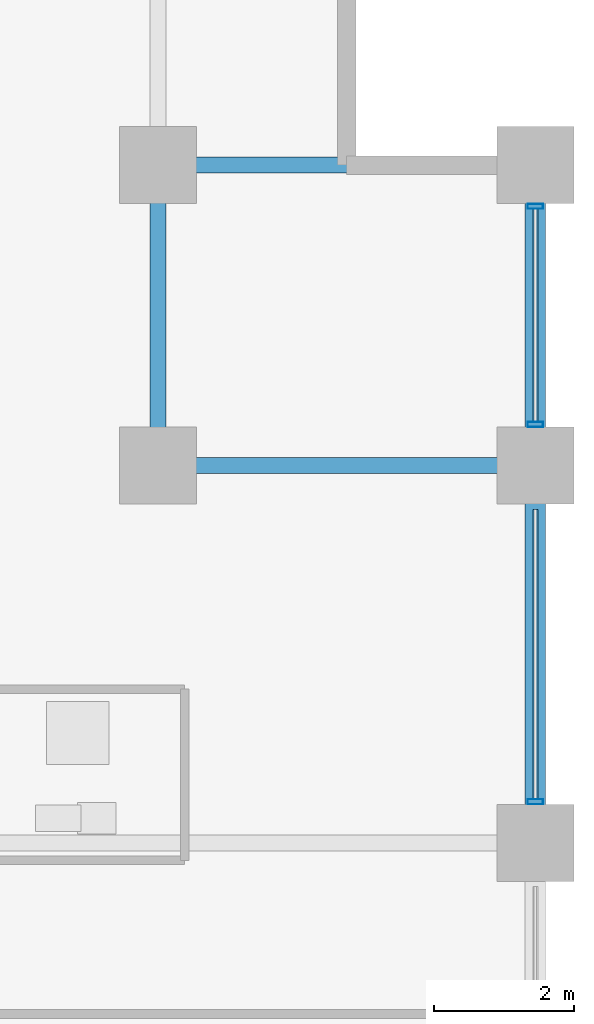
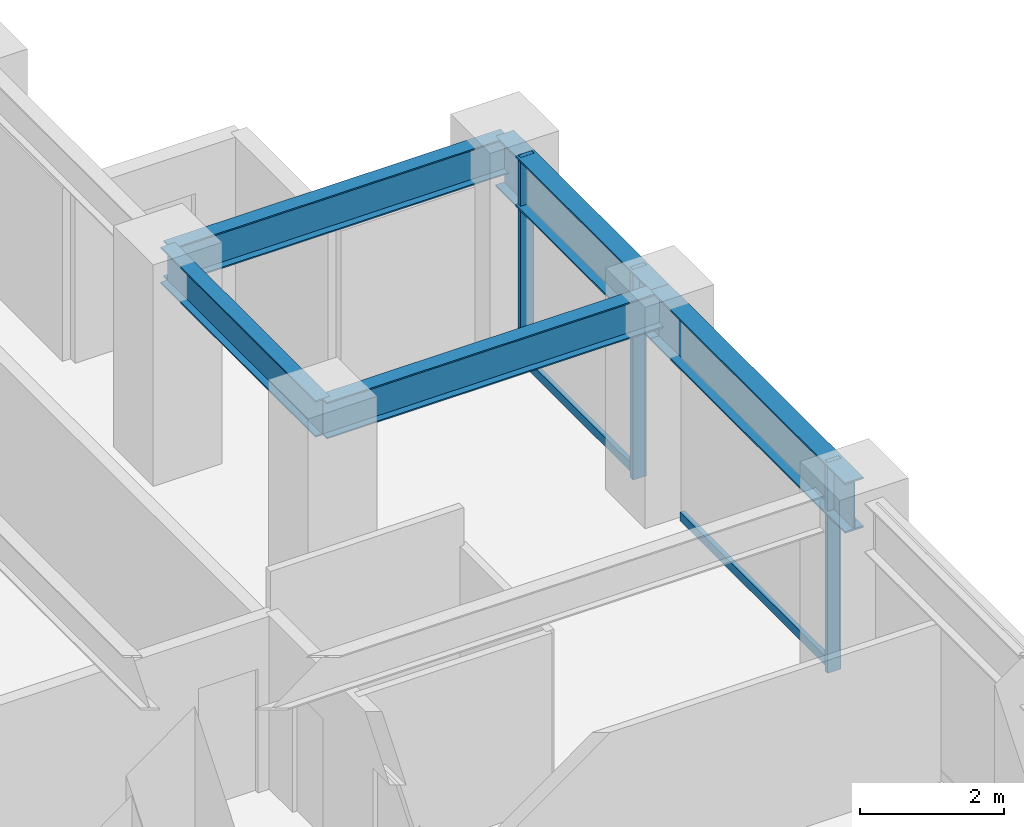
# One storey, part 15 of 25: 5 beams, 5 members, 1 element without a shape of its own.
"""IFC4 building model written with IfcOpenShell, lengths in metres."""

from ifc_helpers import new_model, si_unit, direction, frame, origin, origin_2d, place, context, subcontext, project, spatial, hollow_rectangle, i_section, extrude, material, layer, layer_set, material_profile, profile_set, type_object, element, aggregate, save


model = new_model("IFC4")

# Units and contexts
model_context = context("Model", 3, precision=1e-05, world=origin(), true_north=direction((0.0, 1.0)))
body_context = subcontext(model_context, "Body", "Model", "MODEL_VIEW")
ifc_project = project(units=[si_unit("LENGTHUNIT", "METRE"), si_unit("AREAUNIT", "SQUARE_METRE"), si_unit("VOLUMEUNIT", "CUBIC_METRE"), si_unit("PLANEANGLEUNIT", "RADIAN"), si_unit("MASSUNIT", "GRAM", prefix="KILO")], contexts=[model_context])

# Site, building, storey
site_placement = place(None, origin())
site = spatial("IfcSite", under=ifc_project, at=site_placement, CompositionType="ELEMENT")
building_placement = place(site_placement, origin())
building = spatial("IfcBuilding", under=site, at=building_placement, Name="Surkhivell Harbour Commons", CompositionType="ELEMENT")
storey_placement = place(building_placement, frame((0.0, 0.0, 124.5)))
storey = spatial("IfcBuildingStorey", under=building, at=storey_placement, Name="L32", CompositionType="ELEMENT", Elevation=124.5)

# Beams
ifc_material_1 = material(Name="Steel S355", Category="steel")
ifc_material_profile_1 = material_profile(ifc_material_1, i_section(OverallWidth=0.22998046875, OverallDepth=0.616943359375, WebThickness=0.01318359375, FlangeThickness=0.022216796875, at=origin_2d()), Name="UB610x229x140")
ifc_profile_set_1 = profile_set([ifc_material_profile_1], Name="Steel S355")
beam_type_1 = type_object("IfcBeamType", Name="BM-GRD-610B", PredefinedType="BEAM", material=ifc_profile_set_1)
beam_1_placement = place(storey_placement, frame((16.199951171875, 16.199951171875, 3.261474609375), z_axis=(0.0, 1.0, 0.0), x_axis=(-1.0, 0.0, 0.0)))
element("IfcBeam", 1, at=beam_1_placement, inside=storey, type_object=beam_type_1, Name="L32 Floor Girder (16.2,16.2)", PredefinedType="BEAM", context=body_context, shape_type="SweptSolid", body=[
    extrude(i_section(OverallWidth=0.22998046875, OverallDepth=0.616943359375, WebThickness=0.01318359375, FlangeThickness=0.022216796875, at=origin_2d()), origin(), (0.0, 0.0, 1.0), 4.300048828125),
])
for number, where, z_axis, x_axis, name in (
    (2, (16.199951171875, 16.199951171875, 3.261474609375), (1.0, 0.0, 0.0), (0.0, 1.0, 0.0), "L32 Floor Girder (16.2,16.2)"),
    (3, (16.199951171875, 20.5, 3.261474609375), (1.0, 0.0, 0.0), (0.0, 1.0, 0.0), "L32 Floor Girder (16.2,20.5)"),
):
    element("IfcBeam", number, at=place(storey_placement, frame(where, z_axis=z_axis, x_axis=x_axis)), inside=storey, type_object=beam_type_1, Name=name, PredefinedType="BEAM", context=body_context, shape_type="SweptSolid", body=[
        extrude(i_section(OverallWidth=0.22998046875, OverallDepth=0.616943359375, WebThickness=0.01318359375, FlangeThickness=0.022216796875, at=origin_2d()), origin(), (0.0, 0.0, 1.0), 5.400146484375),
    ])
ifc_material_2 = material(Name="Steel S460", Category="steel")
ifc_material_profile_2 = material_profile(ifc_material_2, i_section(OverallWidth=0.2939453125, OverallDepth=0.85107421875, WebThickness=0.01611328125, FlangeThickness=0.02685546875, at=origin_2d()), Name="UB838x292x226")
ifc_profile_set_2 = profile_set([ifc_material_profile_2], Name="Steel S460")
beam_type_2 = type_object("IfcBeamType", Name="BM-SPN-838", PredefinedType="SPANDREL", material=ifc_profile_set_2)
beam_2_placement = place(storey_placement, frame((21.60009765625, 10.800048828125, 3.14453125), z_axis=(0.0, 1.0, 0.0), x_axis=(-1.0, 0.0, 0.0)))
element("IfcBeam", 4, at=beam_2_placement, inside=storey, type_object=beam_type_2, Name="L32 Tube Spandrel (21.6,10.8)", PredefinedType="SPANDREL", context=body_context, shape_type="SweptSolid", body=[
    extrude(i_section(OverallWidth=0.2939453125, OverallDepth=0.85107421875, WebThickness=0.01611328125, FlangeThickness=0.02685546875, at=origin_2d()), origin(), (0.0, 0.0, 1.0), 5.39990234375),
])
beam_3_placement = place(storey_placement, frame((21.60009765625, 16.199951171875, 3.14453125), z_axis=(0.0, 1.0, 0.0), x_axis=(-1.0, 0.0, 0.0)))
element("IfcBeam", 5, at=beam_3_placement, inside=storey, type_object=beam_type_2, Name="L32 Tube Spandrel (21.6,16.2)", PredefinedType="SPANDREL", context=body_context, shape_type="SweptSolid", body=[
    extrude(i_section(OverallWidth=0.2939453125, OverallDepth=0.85107421875, WebThickness=0.01611328125, FlangeThickness=0.02685546875, at=origin_2d()), origin(), (0.0, 0.0, 1.0), 4.300048828125),
])

# Curtain wall, members
ifc_material_3 = material(Name="Anodised pale-metal aluminium and insulated glazing", Category="aluminium")
ifc_layer = layer(ifc_material_3, 0.205078125)
ifc_layer_set = layer_set([ifc_layer], Name="Anodised pale-metal aluminium and insulated glazing")
curtain_wall_type = type_object("IfcCurtainWallType", Name="CW-SYS-Z2", PredefinedType="NOTDEFINED", material=ifc_layer_set)
curtain_wall_placement = place(storey_placement, origin())
curtain_wall = element("IfcCurtainWall", 6, at=curtain_wall_placement, inside=storey, type_object=curtain_wall_type, Name="L32 Curtain Wall CW-L32-E02", PredefinedType="NOTDEFINED")
ifc_material_4 = material(Name="Anodised pale-metal aluminium alloy 6063-T6", Category="aluminium")
ifc_material_profile_3 = material_profile(ifc_material_4, hollow_rectangle(XDim=0.074951171875, YDim=0.219970703125, WallThickness=0.00390625, at=origin_2d()), Name="ALU-MULL-75x220")
ifc_profile_set_3 = profile_set([ifc_material_profile_3], Name="Anodised pale-metal aluminium alloy 6063-T6")
member_type_1 = type_object("IfcMemberType", Name="CWM-220", PredefinedType="MULLION", material=ifc_profile_set_3)
member_1_placement = place(storey_placement, frame((21.60009765625, 11.389404296875, 0.0), z_axis=(0.0, 0.0, 1.0), x_axis=(0.0, 1.0, 0.0)))
member_1 = element("IfcMember", 7, at=member_1_placement, type_object=member_type_1, Name="CW-Z2 mullion 4", PredefinedType="MULLION", context=body_context, shape_type="SweptSolid", body=[
    extrude(hollow_rectangle(XDim=0.074951171875, YDim=0.219970703125, WallThickness=0.00390625, at=origin_2d()), origin(), (0.0, 0.0, 1.0), 3.570068359375),
])
member_2_placement = place(storey_placement, frame((21.60009765625, 16.78955078125, 0.0), z_axis=(0.0, 0.0, 1.0), x_axis=(0.0, 1.0, 0.0)))
member_2 = element("IfcMember", 8, at=member_2_placement, type_object=member_type_1, Name="CW-Z2 mullion 5", PredefinedType="MULLION", context=body_context, shape_type="SweptSolid", body=[
    extrude(hollow_rectangle(XDim=0.074951171875, YDim=0.219970703125, WallThickness=0.00390625, at=origin_2d()), origin(), (0.0, 0.0, 1.0), 3.570068359375),
])
member_3_placement = place(storey_placement, frame((21.60009765625, 19.910400390625, 0.0), z_axis=(0.0, 0.0, 1.0), x_axis=(0.0, 1.0, 0.0)))
member_3 = element("IfcMember", 9, at=member_3_placement, type_object=member_type_1, Name="CW-Z2 mullion 6", PredefinedType="MULLION", context=body_context, shape_type="SweptSolid", body=[
    extrude(hollow_rectangle(XDim=0.074951171875, YDim=0.219970703125, WallThickness=0.00390625, at=origin_2d()), origin(), (0.0, 0.0, 1.0), 3.570068359375),
])
ifc_material_profile_4 = material_profile(ifc_material_4, hollow_rectangle(XDim=0.074951171875, YDim=0.14990234375, WallThickness=0.00341796875, at=origin_2d()), Name="ALU-TRAN-75x150")
ifc_profile_set_4 = profile_set([ifc_material_profile_4], Name="Anodised pale-metal aluminium alloy 6063-T6")
member_type_2 = type_object("IfcMemberType", Name="CWT-150", PredefinedType="USERDEFINED", material=ifc_profile_set_4)
member_4_placement = place(storey_placement, frame((21.60009765625, 11.427001953125, 0.074951171875), z_axis=(0.0, 1.0, 0.0), x_axis=(-1.0, 0.0, 0.0)))
member_4 = element("IfcMember", 10, at=member_4_placement, type_object=member_type_2, Name="CW-Z2 transom 4.1", ObjectType="TRANSOM", PredefinedType="USERDEFINED", context=body_context, shape_type="SweptSolid", body=[
    extrude(hollow_rectangle(XDim=0.074951171875, YDim=0.14990234375, WallThickness=0.00341796875, at=origin_2d()), origin(), (0.0, 0.0, 1.0), 4.14599609375),
])
member_5_placement = place(storey_placement, frame((21.60009765625, 16.826904296875, 0.074951171875), z_axis=(0.0, 1.0, 0.0), x_axis=(-1.0, 0.0, 0.0)))
member_5 = element("IfcMember", 11, at=member_5_placement, type_object=member_type_2, Name="CW-Z2 transom 5.1", ObjectType="TRANSOM", PredefinedType="USERDEFINED", context=body_context, shape_type="SweptSolid", body=[
    extrude(hollow_rectangle(XDim=0.074951171875, YDim=0.14990234375, WallThickness=0.00341796875, at=origin_2d()), origin(), (0.0, 0.0, 1.0), 3.046142578125),
])
aggregate(curtain_wall, [member_1, member_4, member_2, member_3, member_5])

save(model, "model.ifc")
